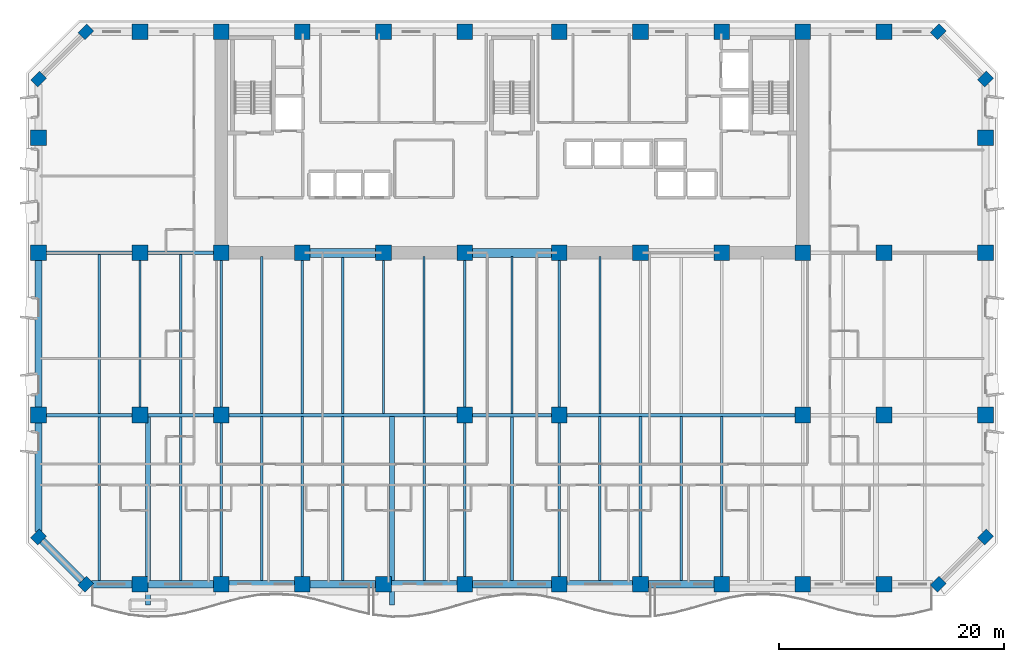
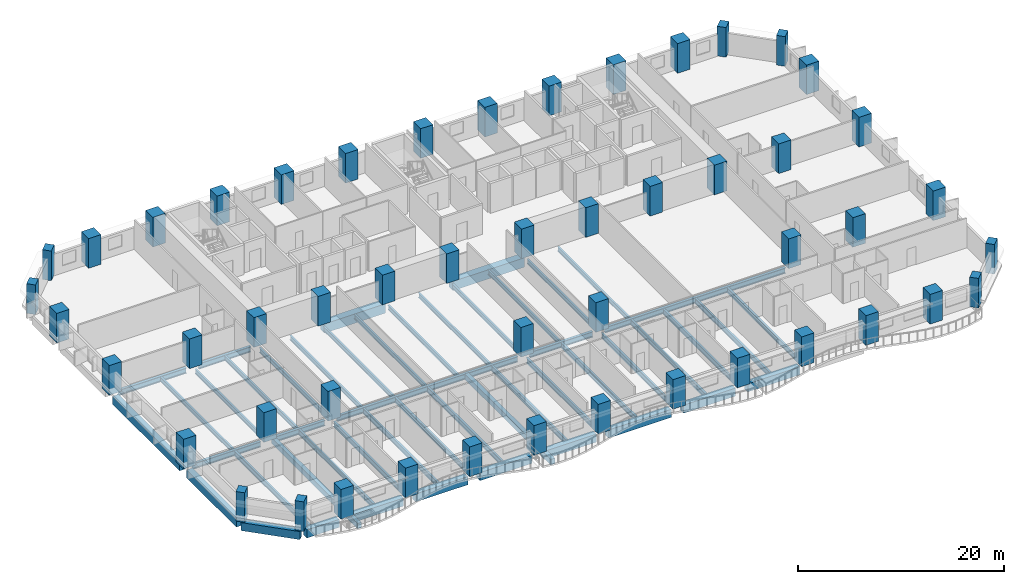
# One storey, part 1 of 16: 50 columns, 49 beams.
"""IFC4 building model written with IfcOpenShell, lengths in metres."""

from ifc_helpers import new_model, si_unit, direction, frame, origin, origin_2d, place, context, subcontext, project, spatial, rectangle, i_section, extrude, material, material_profile, profile_set, type_object, element, save


model = new_model("IFC4")

# Units and contexts
model_context = context("Model", 3, precision=1e-05, world=origin(), true_north=direction((0.0, 1.0)))
body_context = subcontext(model_context, "Body", "Model", "MODEL_VIEW")
ifc_project = project(units=[si_unit("LENGTHUNIT", "METRE"), si_unit("AREAUNIT", "SQUARE_METRE"), si_unit("VOLUMEUNIT", "CUBIC_METRE"), si_unit("PLANEANGLEUNIT", "RADIAN"), si_unit("MASSUNIT", "GRAM", prefix="KILO")], contexts=[model_context])

# Site, building, storey
site_placement = place(None, origin())
site = spatial("IfcSite", under=ifc_project, at=site_placement, CompositionType="ELEMENT")
building_placement = place(site_placement, origin())
building = spatial("IfcBuilding", under=site, at=building_placement, Name="Kaelvorn Grand Hotel", CompositionType="ELEMENT")
storey_placement = place(building_placement, frame((0.0, 0.0, 35.14990234375)))
storey = spatial("IfcBuildingStorey", under=building, at=storey_placement, Name="L06", CompositionType="ELEMENT", Elevation=35.14990234375)

# Columns
ifc_material_1 = material(Name="Concrete C80/95", Category="concrete")
ifc_material_profile_1 = material_profile(ifc_material_1, rectangle(XDim=1.10009765625, YDim=0.89990234375, at=origin_2d()), Name="RC PILASTER 1100x900")
ifc_profile_set_1 = profile_set([ifc_material_profile_1], Name="Concrete C80/95")
column_type_1 = type_object("IfcColumnType", Name="COL-PIL-1100x900-C80", PredefinedType="PILASTER", material=ifc_profile_set_1)
for number, where, z_axis, x_axis, name in (
    (1, (4.199951171875, 0.0, 0.0), (0.0, 0.0, 1.0), (0.707106781187, 0.707106781187, 0.0), "L06 Structural Column CH-01"),
    (2, (79.800048828125, 0.0, 0.0), (0.0, 0.0, 1.0), (0.707106781187, 0.707106781187, 0.0), "L06 Structural Column CH-02"),
    (3, (84.0, 4.199951171875, 0.0), (0.0, 0.0, 1.0), (0.707106781187, 0.707106781187, 0.0), "L06 Structural Column CH-03"),
    (4, (84.0, 44.800048828125, 0.0), (0.0, 0.0, 1.0), (0.707106781187, 0.707106781187, 0.0), "L06 Structural Column CH-04"),
    (5, (79.800048828125, 49.0, 0.0), (0.0, 0.0, 1.0), (0.707106781187, 0.707106781187, 0.0), "L06 Structural Column CH-05"),
    (6, (4.199951171875, 49.0, 0.0), (0.0, 0.0, 1.0), (0.707106781187, 0.707106781187, 0.0), "L06 Structural Column CH-06"),
    (7, (0.0, 44.800048828125, 0.0), (0.0, 0.0, 1.0), (0.707106781187, 0.707106781187, 0.0), "L06 Structural Column CH-07"),
    (8, (0.0, 4.199951171875, 0.0), (0.0, 0.0, 1.0), (0.707106781187, 0.707106781187, 0.0), "L06 Structural Column CH-08"),
):
    element("IfcColumn", number, at=place(storey_placement, frame(where, z_axis=z_axis, x_axis=x_axis)), inside=storey, type_object=column_type_1, Name=name, PredefinedType="PILASTER", context=body_context, shape_type="SweptSolid", body=[
        extrude(rectangle(XDim=1.10009765625, YDim=0.89990234375, at=origin_2d()), origin(), (0.0, 0.0, 1.0), 3.510009765625),
    ])
ifc_material_profile_2 = material_profile(ifc_material_1, rectangle(XDim=1.39990234375, YDim=1.39990234375, at=origin_2d()), Name="RC COL 1400x1400")
ifc_profile_set_2 = profile_set([ifc_material_profile_2], Name="Concrete C80/95")
column_type_2 = type_object("IfcColumnType", Name="COL-RC-1400-C80", PredefinedType="COLUMN", material=ifc_profile_set_2)
for number, where, z_axis, x_axis, name in (
    (9, (9.0, 0.0, 0.0), (0.0, 0.0, 1.0), (1.0, 0.0, 0.0), "L06 Structural Column S-01"),
    (10, (16.199951171875, 0.0, 0.0), (0.0, 0.0, 1.0), (1.0, 0.0, 0.0), "L06 Structural Column S-02"),
    (11, (23.39990234375, 0.0, 0.0), (0.0, 0.0, 1.0), (1.0, 0.0, 0.0), "L06 Structural Column S-03"),
    (12, (30.60009765625, 0.0, 0.0), (0.0, 0.0, 1.0), (1.0, 0.0, 0.0), "L06 Structural Column S-04"),
    (13, (37.800048828125, 0.0, 0.0), (0.0, 0.0, 1.0), (1.0, 0.0, 0.0), "L06 Structural Column S-05"),
    (14, (46.199951171875, 0.0, 0.0), (0.0, 0.0, 1.0), (1.0, 0.0, 0.0), "L06 Structural Column S-06"),
    (15, (53.39990234375, 0.0, 0.0), (0.0, 0.0, 1.0), (1.0, 0.0, 0.0), "L06 Structural Column S-07"),
    (16, (60.60009765625, 0.0, 0.0), (0.0, 0.0, 1.0), (1.0, 0.0, 0.0), "L06 Structural Column S-08"),
    (17, (67.800048828125, 0.0, 0.0), (0.0, 0.0, 1.0), (1.0, 0.0, 0.0), "L06 Structural Column S-09"),
    (18, (75.0, 0.0, 0.0), (0.0, 0.0, 1.0), (1.0, 0.0, 0.0), "L06 Structural Column S-10"),
    (19, (0.0, 15.0, 0.0), (0.0, 0.0, 1.0), (1.0, 0.0, 0.0), "L06 Structural Column W-01"),
    (20, (84.0, 15.0, 0.0), (0.0, 0.0, 1.0), (1.0, 0.0, 0.0), "L06 Structural Column E-01"),
    (21, (0.0, 29.39990234375, 0.0), (0.0, 0.0, 1.0), (1.0, 0.0, 0.0), "L06 Structural Column W-02"),
    (22, (84.0, 29.39990234375, 0.0), (0.0, 0.0, 1.0), (1.0, 0.0, 0.0), "L06 Structural Column E-02"),
    (23, (0.0, 39.60009765625, 0.0), (0.0, 0.0, 1.0), (1.0, 0.0, 0.0), "L06 Structural Column W-03"),
    (24, (84.0, 39.60009765625, 0.0), (0.0, 0.0, 1.0), (1.0, 0.0, 0.0), "L06 Structural Column E-03"),
    (25, (9.0, 15.0, 0.0), (0.0, 0.0, 1.0), (1.0, 0.0, 0.0), "L06 Structural Column M-01"),
    (26, (16.199951171875, 15.0, 0.0), (0.0, 0.0, 1.0), (1.0, 0.0, 0.0), "L06 Structural Column M-02"),
    (27, (37.800048828125, 15.0, 0.0), (0.0, 0.0, 1.0), (1.0, 0.0, 0.0), "L06 Structural Column M-03"),
    (28, (46.199951171875, 15.0, 0.0), (0.0, 0.0, 1.0), (1.0, 0.0, 0.0), "L06 Structural Column M-04"),
    (29, (67.800048828125, 15.0, 0.0), (0.0, 0.0, 1.0), (1.0, 0.0, 0.0), "L06 Structural Column M-05"),
    (30, (75.0, 15.0, 0.0), (0.0, 0.0, 1.0), (1.0, 0.0, 0.0), "L06 Structural Column M-06"),
    (31, (9.0, 29.39990234375, 0.0), (0.0, 0.0, 1.0), (1.0, 0.0, 0.0), "L06 Structural Column CR1-01"),
    (32, (9.0, 49.0, 0.0), (0.0, 0.0, 1.0), (1.0, 0.0, 0.0), "L06 Structural Column CR2-01"),
    (33, (16.199951171875, 29.39990234375, 0.0), (0.0, 0.0, 1.0), (1.0, 0.0, 0.0), "L06 Structural Column CR1-02"),
    (34, (16.199951171875, 49.0, 0.0), (0.0, 0.0, 1.0), (1.0, 0.0, 0.0), "L06 Structural Column CR2-02"),
    (35, (23.39990234375, 29.39990234375, 0.0), (0.0, 0.0, 1.0), (1.0, 0.0, 0.0), "L06 Structural Column CR1-03"),
    (36, (23.39990234375, 49.0, 0.0), (0.0, 0.0, 1.0), (1.0, 0.0, 0.0), "L06 Structural Column CR2-03"),
    (37, (30.60009765625, 29.39990234375, 0.0), (0.0, 0.0, 1.0), (1.0, 0.0, 0.0), "L06 Structural Column CR1-04"),
    (38, (30.60009765625, 49.0, 0.0), (0.0, 0.0, 1.0), (1.0, 0.0, 0.0), "L06 Structural Column CR2-04"),
    (39, (37.800048828125, 29.39990234375, 0.0), (0.0, 0.0, 1.0), (1.0, 0.0, 0.0), "L06 Structural Column CR1-05"),
    (40, (37.800048828125, 49.0, 0.0), (0.0, 0.0, 1.0), (1.0, 0.0, 0.0), "L06 Structural Column CR2-05"),
    (41, (46.199951171875, 29.39990234375, 0.0), (0.0, 0.0, 1.0), (1.0, 0.0, 0.0), "L06 Structural Column CR1-06"),
    (42, (46.199951171875, 49.0, 0.0), (0.0, 0.0, 1.0), (1.0, 0.0, 0.0), "L06 Structural Column CR2-06"),
    (43, (53.39990234375, 29.39990234375, 0.0), (0.0, 0.0, 1.0), (1.0, 0.0, 0.0), "L06 Structural Column CR1-07"),
    (44, (53.39990234375, 49.0, 0.0), (0.0, 0.0, 1.0), (1.0, 0.0, 0.0), "L06 Structural Column CR2-07"),
    (45, (60.60009765625, 29.39990234375, 0.0), (0.0, 0.0, 1.0), (1.0, 0.0, 0.0), "L06 Structural Column CR1-08"),
    (46, (60.60009765625, 49.0, 0.0), (0.0, 0.0, 1.0), (1.0, 0.0, 0.0), "L06 Structural Column CR2-08"),
    (47, (67.800048828125, 29.39990234375, 0.0), (0.0, 0.0, 1.0), (1.0, 0.0, 0.0), "L06 Structural Column CR1-09"),
    (48, (67.800048828125, 49.0, 0.0), (0.0, 0.0, 1.0), (1.0, 0.0, 0.0), "L06 Structural Column CR2-09"),
    (49, (75.0, 29.39990234375, 0.0), (0.0, 0.0, 1.0), (1.0, 0.0, 0.0), "L06 Structural Column CR1-10"),
    (50, (75.0, 49.0, 0.0), (0.0, 0.0, 1.0), (1.0, 0.0, 0.0), "L06 Structural Column CR2-10"),
):
    element("IfcColumn", number, at=place(storey_placement, frame(where, z_axis=z_axis, x_axis=x_axis)), inside=storey, type_object=column_type_2, Name=name, PredefinedType="COLUMN", context=body_context, shape_type="SweptSolid", body=[
        extrude(rectangle(XDim=1.39990234375, YDim=1.39990234375, at=origin_2d()), origin(), (0.0, 0.0, 1.0), 3.510009765625),
    ])

# Beams
ifc_material_2 = material(Name="Steel S355", Category="steel")
ifc_material_profile_3 = material_profile(ifc_material_2, i_section(OverallWidth=0.300048828125, OverallDepth=0.64990234375, WebThickness=0.01611328125, FlangeThickness=0.031005859375, FilletRadius=0.027099609375, at=origin_2d()), Name="HEB 650")
ifc_profile_set_3 = profile_set([ifc_material_profile_3], Name="Steel S355")
beam_type_1 = type_object("IfcBeamType", Name="BM-G-HEB650-S355", PredefinedType="BEAM", material=ifc_profile_set_3)
beam_1_placement = place(storey_placement, frame((0.68505859375, 15.0, -0.56494140625), z_axis=(1.0, 0.0, 0.0), x_axis=(0.0, 1.0, 0.0)))
element("IfcBeam", 51, at=beam_1_placement, inside=storey, type_object=beam_type_1, Name="L06 Primary Spine Steel Girder G-15 01", PredefinedType="BEAM", context=body_context, shape_type="SweptSolid", body=[
    extrude(i_section(OverallWidth=0.300048828125, OverallDepth=0.64990234375, WebThickness=0.01611328125, FlangeThickness=0.031005859375, FilletRadius=0.027099609375, at=origin_2d()), origin(), (0.0, 0.0, 1.0), 7.6298828125),
])
beam_2_placement = place(storey_placement, frame((9.68505859375, 15.0, -0.56494140625), z_axis=(1.0, 0.0, 0.0), x_axis=(0.0, 1.0, 0.0)))
element("IfcBeam", 52, at=beam_2_placement, inside=storey, type_object=beam_type_1, Name="L06 Primary Spine Steel Girder G-15 02", PredefinedType="BEAM", context=body_context, shape_type="SweptSolid", body=[
    extrude(i_section(OverallWidth=0.300048828125, OverallDepth=0.64990234375, WebThickness=0.01611328125, FlangeThickness=0.031005859375, FilletRadius=0.027099609375, at=origin_2d()), origin(), (0.0, 0.0, 1.0), 5.829833984375),
])
beam_3_placement = place(storey_placement, frame((16.885009765625, 15.0, -0.56494140625), z_axis=(1.0, 0.0, 0.0), x_axis=(0.0, 1.0, 0.0)))
element("IfcBeam", 53, at=beam_3_placement, inside=storey, type_object=beam_type_1, Name="L06 Primary Spine Steel Girder G-15 03", PredefinedType="BEAM", context=body_context, shape_type="SweptSolid", body=[
    extrude(i_section(OverallWidth=0.300048828125, OverallDepth=0.64990234375, WebThickness=0.01611328125, FlangeThickness=0.031005859375, FilletRadius=0.027099609375, at=origin_2d()), origin(), (0.0, 0.0, 1.0), 20.22998046875),
])
beam_4_placement = place(storey_placement, frame((38.485107421875, 15.0, -0.56494140625), z_axis=(1.0, 0.0, 0.0), x_axis=(0.0, 1.0, 0.0)))
element("IfcBeam", 54, at=beam_4_placement, inside=storey, type_object=beam_type_1, Name="L06 Primary Spine Steel Girder G-15 04", PredefinedType="BEAM", context=body_context, shape_type="SweptSolid", body=[
    extrude(i_section(OverallWidth=0.300048828125, OverallDepth=0.64990234375, WebThickness=0.01611328125, FlangeThickness=0.031005859375, FilletRadius=0.027099609375, at=origin_2d()), origin(), (0.0, 0.0, 1.0), 7.02978515625),
])
beam_5_placement = place(storey_placement, frame((46.885009765625, 15.0, -0.56494140625), z_axis=(1.0, 0.0, 0.0), x_axis=(0.0, 1.0, 0.0)))
element("IfcBeam", 55, at=beam_5_placement, inside=storey, type_object=beam_type_1, Name="L06 Primary Spine Steel Girder G-15 05", PredefinedType="BEAM", context=body_context, shape_type="SweptSolid", body=[
    extrude(i_section(OverallWidth=0.300048828125, OverallDepth=0.64990234375, WebThickness=0.01611328125, FlangeThickness=0.031005859375, FilletRadius=0.027099609375, at=origin_2d()), origin(), (0.0, 0.0, 1.0), 20.22998046875),
])
beam_6_placement = place(storey_placement, frame((0.68505859375, 29.39990234375, -0.56494140625), z_axis=(1.0, 0.0, 0.0), x_axis=(0.0, 1.0, 0.0)))
element("IfcBeam", 56, at=beam_6_placement, inside=storey, type_object=beam_type_1, Name="L06 West Core Wing Steel Girder G-29W 01", PredefinedType="BEAM", context=body_context, shape_type="SweptSolid", body=[
    extrude(i_section(OverallWidth=0.300048828125, OverallDepth=0.64990234375, WebThickness=0.01611328125, FlangeThickness=0.031005859375, FilletRadius=0.027099609375, at=origin_2d()), origin(), (0.0, 0.0, 1.0), 7.6298828125),
])
beam_7_placement = place(storey_placement, frame((9.68505859375, 29.39990234375, -0.56494140625), z_axis=(1.0, 0.0, 0.0), x_axis=(0.0, 1.0, 0.0)))
element("IfcBeam", 57, at=beam_7_placement, inside=storey, type_object=beam_type_1, Name="L06 West Core Wing Steel Girder G-29W 02", PredefinedType="BEAM", context=body_context, shape_type="SweptSolid", body=[
    extrude(i_section(OverallWidth=0.300048828125, OverallDepth=0.64990234375, WebThickness=0.01611328125, FlangeThickness=0.031005859375, FilletRadius=0.027099609375, at=origin_2d()), origin(), (0.0, 0.0, 1.0), 5.829833984375),
])
ifc_material_profile_4 = material_profile(ifc_material_2, i_section(OverallWidth=0.209228515625, OverallDepth=0.533203125, WebThickness=0.010009765625, FlangeThickness=0.015625, FilletRadius=0.0126953125, at=origin_2d()), Name="UB 533x210x92")
ifc_profile_set_4 = profile_set([ifc_material_profile_4], Name="Steel S355")
beam_type_2 = type_object("IfcBeamType", Name="BM-J-UB533-S355", PredefinedType="JOIST", material=ifc_profile_set_4)
beam_8_placement = place(storey_placement, frame((5.39990234375, 15.135009765625, -0.50634765625), z_axis=(0.0, 1.0, 0.0), x_axis=(-1.0, 0.0, 0.0)))
element("IfcBeam", 58, at=beam_8_placement, inside=storey, type_object=beam_type_2, Name="L06 Composite Floor Joist JM-02", PredefinedType="JOIST", context=body_context, shape_type="SweptSolid", body=[
    extrude(i_section(OverallWidth=0.209228515625, OverallDepth=0.533203125, WebThickness=0.010009765625, FlangeThickness=0.015625, FilletRadius=0.0126953125, at=origin_2d()), origin(), (0.0, 0.0, 1.0), 14.1298828125),
])
beam_9_placement = place(storey_placement, frame((9.0, 15.68505859375, -0.50634765625), z_axis=(0.0, 1.0, 0.0), x_axis=(-1.0, 0.0, 0.0)))
element("IfcBeam", 59, at=beam_9_placement, inside=storey, type_object=beam_type_2, Name="L06 Composite Floor Joist JM-03", PredefinedType="JOIST", context=body_context, shape_type="SweptSolid", body=[
    extrude(i_section(OverallWidth=0.209228515625, OverallDepth=0.533203125, WebThickness=0.010009765625, FlangeThickness=0.015625, FilletRadius=0.0126953125, at=origin_2d()), origin(), (0.0, 0.0, 1.0), 13.030029296875),
])
beam_10_placement = place(storey_placement, frame((12.60009765625, 15.135009765625, -0.50634765625), z_axis=(0.0, 1.0, 0.0), x_axis=(-1.0, 0.0, 0.0)))
element("IfcBeam", 60, at=beam_10_placement, inside=storey, type_object=beam_type_2, Name="L06 Composite Floor Joist JM-04", PredefinedType="JOIST", context=body_context, shape_type="SweptSolid", body=[
    extrude(i_section(OverallWidth=0.209228515625, OverallDepth=0.533203125, WebThickness=0.010009765625, FlangeThickness=0.015625, FilletRadius=0.0126953125, at=origin_2d()), origin(), (0.0, 0.0, 1.0), 14.1298828125),
])
beam_11_placement = place(storey_placement, frame((16.199951171875, 15.68505859375, -0.50634765625), z_axis=(0.0, 1.0, 0.0), x_axis=(-1.0, 0.0, 0.0)))
element("IfcBeam", 61, at=beam_11_placement, inside=storey, type_object=beam_type_2, Name="L06 Composite Floor Joist JM-05", PredefinedType="JOIST", context=body_context, shape_type="SweptSolid", body=[
    extrude(i_section(OverallWidth=0.209228515625, OverallDepth=0.533203125, WebThickness=0.010009765625, FlangeThickness=0.015625, FilletRadius=0.0126953125, at=origin_2d()), origin(), (0.0, 0.0, 1.0), 13.030029296875),
])
beam_12_placement = place(storey_placement, frame((19.800048828125, 15.135009765625, -0.50634765625), z_axis=(0.0, 1.0, 0.0), x_axis=(-1.0, 0.0, 0.0)))
element("IfcBeam", 62, at=beam_12_placement, inside=storey, type_object=beam_type_2, Name="L06 Composite Floor Joist JM-06", PredefinedType="JOIST", context=body_context, shape_type="SweptSolid", body=[
    extrude(i_section(OverallWidth=0.209228515625, OverallDepth=0.533203125, WebThickness=0.010009765625, FlangeThickness=0.015625, FilletRadius=0.0126953125, at=origin_2d()), origin(), (0.0, 0.0, 1.0), 13.925048828125),
])
beam_13_placement = place(storey_placement, frame((23.39990234375, 15.135009765625, -0.50634765625), z_axis=(0.0, 1.0, 0.0), x_axis=(-1.0, 0.0, 0.0)))
element("IfcBeam", 63, at=beam_13_placement, inside=storey, type_object=beam_type_2, Name="L06 Composite Floor Joist JM-07", PredefinedType="JOIST", context=body_context, shape_type="SweptSolid", body=[
    extrude(i_section(OverallWidth=0.209228515625, OverallDepth=0.533203125, WebThickness=0.010009765625, FlangeThickness=0.015625, FilletRadius=0.0126953125, at=origin_2d()), origin(), (0.0, 0.0, 1.0), 13.580078125),
])
beam_14_placement = place(storey_placement, frame((27.0, 15.135009765625, -0.50634765625), z_axis=(0.0, 1.0, 0.0), x_axis=(-1.0, 0.0, 0.0)))
element("IfcBeam", 64, at=beam_14_placement, inside=storey, type_object=beam_type_2, Name="L06 Composite Floor Joist JM-08", PredefinedType="JOIST", context=body_context, shape_type="SweptSolid", body=[
    extrude(i_section(OverallWidth=0.209228515625, OverallDepth=0.533203125, WebThickness=0.010009765625, FlangeThickness=0.015625, FilletRadius=0.0126953125, at=origin_2d()), origin(), (0.0, 0.0, 1.0), 13.925048828125),
])
beam_15_placement = place(storey_placement, frame((30.60009765625, 15.135009765625, -0.50634765625), z_axis=(0.0, 1.0, 0.0), x_axis=(-1.0, 0.0, 0.0)))
element("IfcBeam", 65, at=beam_15_placement, inside=storey, type_object=beam_type_2, Name="L06 Composite Floor Joist JM-09", PredefinedType="JOIST", context=body_context, shape_type="SweptSolid", body=[
    extrude(i_section(OverallWidth=0.209228515625, OverallDepth=0.533203125, WebThickness=0.010009765625, FlangeThickness=0.015625, FilletRadius=0.0126953125, at=origin_2d()), origin(), (0.0, 0.0, 1.0), 13.580078125),
])
beam_16_placement = place(storey_placement, frame((34.199951171875, 15.135009765625, -0.50634765625), z_axis=(0.0, 1.0, 0.0), x_axis=(-1.0, 0.0, 0.0)))
element("IfcBeam", 66, at=beam_16_placement, inside=storey, type_object=beam_type_2, Name="L06 Composite Floor Joist JM-10", PredefinedType="JOIST", context=body_context, shape_type="SweptSolid", body=[
    extrude(i_section(OverallWidth=0.209228515625, OverallDepth=0.533203125, WebThickness=0.010009765625, FlangeThickness=0.015625, FilletRadius=0.0126953125, at=origin_2d()), origin(), (0.0, 0.0, 1.0), 13.925048828125),
])
beam_17_placement = place(storey_placement, frame((37.800048828125, 15.68505859375, -0.50634765625), z_axis=(0.0, 1.0, 0.0), x_axis=(-1.0, 0.0, 0.0)))
element("IfcBeam", 67, at=beam_17_placement, inside=storey, type_object=beam_type_2, Name="L06 Composite Floor Joist JM-11", PredefinedType="JOIST", context=body_context, shape_type="SweptSolid", body=[
    extrude(i_section(OverallWidth=0.209228515625, OverallDepth=0.533203125, WebThickness=0.010009765625, FlangeThickness=0.015625, FilletRadius=0.0126953125, at=origin_2d()), origin(), (0.0, 0.0, 1.0), 13.030029296875),
])
beam_18_placement = place(storey_placement, frame((42.0, 15.135009765625, -0.50634765625), z_axis=(0.0, 1.0, 0.0), x_axis=(-1.0, 0.0, 0.0)))
element("IfcBeam", 68, at=beam_18_placement, inside=storey, type_object=beam_type_2, Name="L06 Composite Floor Joist JM-12", PredefinedType="JOIST", context=body_context, shape_type="SweptSolid", body=[
    extrude(i_section(OverallWidth=0.209228515625, OverallDepth=0.533203125, WebThickness=0.010009765625, FlangeThickness=0.015625, FilletRadius=0.0126953125, at=origin_2d()), origin(), (0.0, 0.0, 1.0), 13.925048828125),
])
beam_19_placement = place(storey_placement, frame((46.199951171875, 15.68505859375, -0.50634765625), z_axis=(0.0, 1.0, 0.0), x_axis=(-1.0, 0.0, 0.0)))
element("IfcBeam", 69, at=beam_19_placement, inside=storey, type_object=beam_type_2, Name="L06 Composite Floor Joist JM-13", PredefinedType="JOIST", context=body_context, shape_type="SweptSolid", body=[
    extrude(i_section(OverallWidth=0.209228515625, OverallDepth=0.533203125, WebThickness=0.010009765625, FlangeThickness=0.015625, FilletRadius=0.0126953125, at=origin_2d()), origin(), (0.0, 0.0, 1.0), 13.030029296875),
])
beam_20_placement = place(storey_placement, frame((49.800048828125, 15.135009765625, -0.50634765625), z_axis=(0.0, 1.0, 0.0), x_axis=(-1.0, 0.0, 0.0)))
element("IfcBeam", 70, at=beam_20_placement, inside=storey, type_object=beam_type_2, Name="L06 Composite Floor Joist JM-14", PredefinedType="JOIST", context=body_context, shape_type="SweptSolid", body=[
    extrude(i_section(OverallWidth=0.209228515625, OverallDepth=0.533203125, WebThickness=0.010009765625, FlangeThickness=0.015625, FilletRadius=0.0126953125, at=origin_2d()), origin(), (0.0, 0.0, 1.0), 13.925048828125),
])
ifc_material_profile_5 = material_profile(ifc_material_2, i_section(OverallWidth=0.22900390625, OverallDepth=0.6123046875, WebThickness=0.011962890625, FlangeThickness=0.01953125, FilletRadius=0.0126953125, at=origin_2d()), Name="UB 610x229x125")
ifc_profile_set_5 = profile_set([ifc_material_profile_5], Name="Steel S355")
beam_type_3 = type_object("IfcBeamType", Name="BM-J-UB610-S355", PredefinedType="JOIST", material=ifc_profile_set_5)
for number, where, z_axis, x_axis, name in (
    (71, (5.39990234375, 0.31005859375, -0.5458984375), (0.0, 1.0, 0.0), (-1.0, 0.0, 0.0), "L06 Composite Floor Joist JS-02"),
    (72, (12.60009765625, 0.31005859375, -0.5458984375), (0.0, 1.0, 0.0), (-1.0, 0.0, 0.0), "L06 Composite Floor Joist JS-04"),
):
    element("IfcBeam", number, at=place(storey_placement, frame(where, z_axis=z_axis, x_axis=x_axis)), inside=storey, type_object=beam_type_3, Name=name, PredefinedType="JOIST", context=body_context, shape_type="SweptSolid", body=[
        extrude(i_section(OverallWidth=0.22900390625, OverallDepth=0.6123046875, WebThickness=0.011962890625, FlangeThickness=0.01953125, FilletRadius=0.0126953125, at=origin_2d()), origin(), (0.0, 0.0, 1.0), 14.554931640625),
    ])
beam_21_placement = place(storey_placement, frame((16.199951171875, 0.68505859375, -0.5458984375), z_axis=(0.0, 1.0, 0.0), x_axis=(-1.0, 0.0, 0.0)))
element("IfcBeam", 73, at=beam_21_placement, inside=storey, type_object=beam_type_3, Name="L06 Composite Floor Joist JS-05", PredefinedType="JOIST", context=body_context, shape_type="SweptSolid", body=[
    extrude(i_section(OverallWidth=0.22900390625, OverallDepth=0.6123046875, WebThickness=0.011962890625, FlangeThickness=0.01953125, FilletRadius=0.0126953125, at=origin_2d()), origin(), (0.0, 0.0, 1.0), 13.6298828125),
])
beam_22_placement = place(storey_placement, frame((19.800048828125, 0.31005859375, -0.5458984375), z_axis=(0.0, 1.0, 0.0), x_axis=(-1.0, 0.0, 0.0)))
element("IfcBeam", 74, at=beam_22_placement, inside=storey, type_object=beam_type_3, Name="L06 Composite Floor Joist JS-06", PredefinedType="JOIST", context=body_context, shape_type="SweptSolid", body=[
    extrude(i_section(OverallWidth=0.22900390625, OverallDepth=0.6123046875, WebThickness=0.011962890625, FlangeThickness=0.01953125, FilletRadius=0.0126953125, at=origin_2d()), origin(), (0.0, 0.0, 1.0), 14.554931640625),
])
beam_23_placement = place(storey_placement, frame((23.39990234375, 0.68505859375, -0.5458984375), z_axis=(0.0, 1.0, 0.0), x_axis=(-1.0, 0.0, 0.0)))
element("IfcBeam", 75, at=beam_23_placement, inside=storey, type_object=beam_type_3, Name="L06 Composite Floor Joist JS-07", PredefinedType="JOIST", context=body_context, shape_type="SweptSolid", body=[
    extrude(i_section(OverallWidth=0.22900390625, OverallDepth=0.6123046875, WebThickness=0.011962890625, FlangeThickness=0.01953125, FilletRadius=0.0126953125, at=origin_2d()), origin(), (0.0, 0.0, 1.0), 14.179931640625),
])
for number, where, z_axis, x_axis, name in (
    (76, (27.0, 0.31005859375, -0.5458984375), (0.0, 1.0, 0.0), (-1.0, 0.0, 0.0), "L06 Composite Floor Joist JS-08"),
    (77, (34.199951171875, 0.31005859375, -0.5458984375), (0.0, 1.0, 0.0), (-1.0, 0.0, 0.0), "L06 Composite Floor Joist JS-10"),
):
    element("IfcBeam", number, at=place(storey_placement, frame(where, z_axis=z_axis, x_axis=x_axis)), inside=storey, type_object=beam_type_3, Name=name, PredefinedType="JOIST", context=body_context, shape_type="SweptSolid", body=[
        extrude(i_section(OverallWidth=0.22900390625, OverallDepth=0.6123046875, WebThickness=0.011962890625, FlangeThickness=0.01953125, FilletRadius=0.0126953125, at=origin_2d()), origin(), (0.0, 0.0, 1.0), 14.554931640625),
    ])
beam_24_placement = place(storey_placement, frame((37.800048828125, 0.68505859375, -0.5458984375), z_axis=(0.0, 1.0, 0.0), x_axis=(-1.0, 0.0, 0.0)))
element("IfcBeam", 78, at=beam_24_placement, inside=storey, type_object=beam_type_3, Name="L06 Composite Floor Joist JS-11", PredefinedType="JOIST", context=body_context, shape_type="SweptSolid", body=[
    extrude(i_section(OverallWidth=0.22900390625, OverallDepth=0.6123046875, WebThickness=0.011962890625, FlangeThickness=0.01953125, FilletRadius=0.0126953125, at=origin_2d()), origin(), (0.0, 0.0, 1.0), 13.6298828125),
])
beam_25_placement = place(storey_placement, frame((42.0, 0.31005859375, -0.5458984375), z_axis=(0.0, 1.0, 0.0), x_axis=(-1.0, 0.0, 0.0)))
element("IfcBeam", 79, at=beam_25_placement, inside=storey, type_object=beam_type_3, Name="L06 Composite Floor Joist JS-12", PredefinedType="JOIST", context=body_context, shape_type="SweptSolid", body=[
    extrude(i_section(OverallWidth=0.22900390625, OverallDepth=0.6123046875, WebThickness=0.011962890625, FlangeThickness=0.01953125, FilletRadius=0.0126953125, at=origin_2d()), origin(), (0.0, 0.0, 1.0), 14.554931640625),
])
beam_26_placement = place(storey_placement, frame((46.199951171875, 0.68505859375, -0.5458984375), z_axis=(0.0, 1.0, 0.0), x_axis=(-1.0, 0.0, 0.0)))
element("IfcBeam", 80, at=beam_26_placement, inside=storey, type_object=beam_type_3, Name="L06 Composite Floor Joist JS-13", PredefinedType="JOIST", context=body_context, shape_type="SweptSolid", body=[
    extrude(i_section(OverallWidth=0.22900390625, OverallDepth=0.6123046875, WebThickness=0.011962890625, FlangeThickness=0.01953125, FilletRadius=0.0126953125, at=origin_2d()), origin(), (0.0, 0.0, 1.0), 13.6298828125),
])
beam_27_placement = place(storey_placement, frame((49.800048828125, 0.31005859375, -0.5458984375), z_axis=(0.0, 1.0, 0.0), x_axis=(-1.0, 0.0, 0.0)))
element("IfcBeam", 81, at=beam_27_placement, inside=storey, type_object=beam_type_3, Name="L06 Composite Floor Joist JS-14", PredefinedType="JOIST", context=body_context, shape_type="SweptSolid", body=[
    extrude(i_section(OverallWidth=0.22900390625, OverallDepth=0.6123046875, WebThickness=0.011962890625, FlangeThickness=0.01953125, FilletRadius=0.0126953125, at=origin_2d()), origin(), (0.0, 0.0, 1.0), 14.554931640625),
])
beam_28_placement = place(storey_placement, frame((53.39990234375, 0.68505859375, -0.5458984375), z_axis=(0.0, 1.0, 0.0), x_axis=(-1.0, 0.0, 0.0)))
element("IfcBeam", 82, at=beam_28_placement, inside=storey, type_object=beam_type_3, Name="L06 Composite Floor Joist JS-15", PredefinedType="JOIST", context=body_context, shape_type="SweptSolid", body=[
    extrude(i_section(OverallWidth=0.22900390625, OverallDepth=0.6123046875, WebThickness=0.011962890625, FlangeThickness=0.01953125, FilletRadius=0.0126953125, at=origin_2d()), origin(), (0.0, 0.0, 1.0), 14.179931640625),
])
beam_29_placement = place(storey_placement, frame((57.0, 0.31005859375, -0.5458984375), z_axis=(0.0, 1.0, 0.0), x_axis=(-1.0, 0.0, 0.0)))
element("IfcBeam", 83, at=beam_29_placement, inside=storey, type_object=beam_type_3, Name="L06 Composite Floor Joist JS-16", PredefinedType="JOIST", context=body_context, shape_type="SweptSolid", body=[
    extrude(i_section(OverallWidth=0.22900390625, OverallDepth=0.6123046875, WebThickness=0.011962890625, FlangeThickness=0.01953125, FilletRadius=0.0126953125, at=origin_2d()), origin(), (0.0, 0.0, 1.0), 14.554931640625),
])
beam_30_placement = place(storey_placement, frame((60.60009765625, 0.68505859375, -0.5458984375), z_axis=(0.0, 1.0, 0.0), x_axis=(-1.0, 0.0, 0.0)))
element("IfcBeam", 84, at=beam_30_placement, inside=storey, type_object=beam_type_3, Name="L06 Composite Floor Joist JS-17", PredefinedType="JOIST", context=body_context, shape_type="SweptSolid", body=[
    extrude(i_section(OverallWidth=0.22900390625, OverallDepth=0.6123046875, WebThickness=0.011962890625, FlangeThickness=0.01953125, FilletRadius=0.0126953125, at=origin_2d()), origin(), (0.0, 0.0, 1.0), 14.179931640625),
])
ifc_material_3 = material(Name="Concrete C60/75", Category="concrete")
ifc_material_profile_6 = material_profile(ifc_material_3, rectangle(XDim=0.800048828125, YDim=1.10009765625, at=origin_2d()), Name="RC LINTEL 800x1100")
ifc_profile_set_6 = profile_set([ifc_material_profile_6], Name="Concrete C60/75")
beam_type_4 = type_object("IfcBeamType", Name="BM-LIN-800x1100-C60", PredefinedType="LINTEL", material=ifc_profile_set_6)
beam_31_placement = place(storey_placement, frame((23.580078125, 29.39990234375, -0.789794921875), z_axis=(1.0, 0.0, 0.0), x_axis=(0.0, 1.0, 0.0)))
element("IfcBeam", 85, at=beam_31_placement, inside=storey, type_object=beam_type_4, Name="L06 Rear-Core Coupling Lintel Beam CB1-01", PredefinedType="LINTEL", context=body_context, shape_type="SweptSolid", body=[
    extrude(rectangle(XDim=0.800048828125, YDim=1.10009765625, at=origin_2d()), origin(), (0.0, 0.0, 1.0), 6.83984375),
])
beam_32_placement = place(storey_placement, frame((37.97998046875, 29.39990234375, -0.789794921875), z_axis=(1.0, 0.0, 0.0), x_axis=(0.0, 1.0, 0.0)))
element("IfcBeam", 86, at=beam_32_placement, inside=storey, type_object=beam_type_4, Name="L06 Rear-Core Coupling Lintel Beam CB1-02", PredefinedType="LINTEL", context=body_context, shape_type="SweptSolid", body=[
    extrude(rectangle(XDim=0.800048828125, YDim=1.10009765625, at=origin_2d()), origin(), (0.0, 0.0, 1.0), 8.0400390625),
])
ifc_material_4 = material(Name="Concrete C40/50", Category="concrete")
ifc_material_profile_7 = material_profile(ifc_material_4, rectangle(XDim=0.449951171875, YDim=0.64990234375, at=origin_2d()), Name="RC RIB 450x650")
ifc_profile_set_7 = profile_set([ifc_material_profile_7], Name="Concrete C40/50")
beam_type_5 = type_object("IfcBeamType", Name="BM-RIB-450x650-C40", PredefinedType="SPANDREL", material=ifc_profile_set_7)
for number, where, z_axis, x_axis, name in (
    (87, (9.706787109375, -1.85009765625, -0.544921875), (0.0, 1.0, 0.0), (-1.0, 0.0, 0.0), "L06 Cantilevered Balcony Back-Span Rib RB1-1"),
    (88, (31.368896484375, -1.85009765625, -0.544921875), (0.0, 1.0, 0.0), (-1.0, 0.0, 0.0), "L06 Cantilevered Balcony Back-Span Rib RB1-2"),
):
    element("IfcBeam", number, at=place(storey_placement, frame(where, z_axis=z_axis, x_axis=x_axis)), inside=storey, type_object=beam_type_5, Name=name, PredefinedType="SPANDREL", context=body_context, shape_type="SweptSolid", body=[
        extrude(rectangle(XDim=0.449951171875, YDim=0.64990234375, at=origin_2d()), origin(), (0.0, 0.0, 1.0), 16.715087890625),
    ])
ifc_material_profile_8 = material_profile(ifc_material_3, rectangle(XDim=0.64990234375, YDim=0.949951171875, at=origin_2d()), Name="RC SPANDREL 650x950")
ifc_profile_set_8 = profile_set([ifc_material_profile_8], Name="Concrete C60/75")
beam_type_6 = type_object("IfcBeamType", Name="BM-SP-650x950-C60", PredefinedType="SPANDREL", material=ifc_profile_set_8)
beam_33_placement = place(storey_placement, frame((4.68505859375, 0.0, -0.71484375), z_axis=(1.0, 0.0, 0.0), x_axis=(0.0, 1.0, 0.0)))
element("IfcBeam", 89, at=beam_33_placement, inside=storey, type_object=beam_type_6, Name="L06 South Perimeter Spandrel 01", PredefinedType="SPANDREL", context=body_context, shape_type="SweptSolid", body=[
    extrude(rectangle(XDim=0.64990234375, YDim=0.949951171875, at=origin_2d()), origin(), (0.0, 0.0, 1.0), 3.6298828125),
])
beam_34_placement = place(storey_placement, frame((9.68505859375, 0.0, -0.71484375), z_axis=(1.0, 0.0, 0.0), x_axis=(0.0, 1.0, 0.0)))
element("IfcBeam", 90, at=beam_34_placement, inside=storey, type_object=beam_type_6, Name="L06 South Perimeter Spandrel 02", PredefinedType="SPANDREL", context=body_context, shape_type="SweptSolid", body=[
    extrude(rectangle(XDim=0.64990234375, YDim=0.949951171875, at=origin_2d()), origin(), (0.0, 0.0, 1.0), 5.829833984375),
])
for number, where, z_axis, x_axis, name in (
    (91, (16.885009765625, 0.0, -0.71484375), (1.0, 0.0, 0.0), (0.0, 1.0, 0.0), "L06 South Perimeter Spandrel 03"),
    (92, (24.0849609375, 0.0, -0.71484375), (1.0, 0.0, 0.0), (0.0, 1.0, 0.0), "L06 South Perimeter Spandrel 04"),
    (93, (31.284912109375, 0.0, -0.71484375), (1.0, 0.0, 0.0), (0.0, 1.0, 0.0), "L06 South Perimeter Spandrel 05"),
):
    element("IfcBeam", number, at=place(storey_placement, frame(where, z_axis=z_axis, x_axis=x_axis)), inside=storey, type_object=beam_type_6, Name=name, PredefinedType="SPANDREL", context=body_context, shape_type="SweptSolid", body=[
        extrude(rectangle(XDim=0.64990234375, YDim=0.949951171875, at=origin_2d()), origin(), (0.0, 0.0, 1.0), 5.830078125),
    ])
beam_35_placement = place(storey_placement, frame((38.485107421875, 0.0, -0.71484375), z_axis=(1.0, 0.0, 0.0), x_axis=(0.0, 1.0, 0.0)))
element("IfcBeam", 94, at=beam_35_placement, inside=storey, type_object=beam_type_6, Name="L06 South Perimeter Spandrel 06", PredefinedType="SPANDREL", context=body_context, shape_type="SweptSolid", body=[
    extrude(rectangle(XDim=0.64990234375, YDim=0.949951171875, at=origin_2d()), origin(), (0.0, 0.0, 1.0), 7.02978515625),
])
for number, where, z_axis, x_axis, name in (
    (95, (46.885009765625, 0.0, -0.71484375), (1.0, 0.0, 0.0), (0.0, 1.0, 0.0), "L06 South Perimeter Spandrel 07"),
    (96, (54.0849609375, 0.0, -0.71484375), (1.0, 0.0, 0.0), (0.0, 1.0, 0.0), "L06 South Perimeter Spandrel 08"),
):
    element("IfcBeam", number, at=place(storey_placement, frame(where, z_axis=z_axis, x_axis=x_axis)), inside=storey, type_object=beam_type_6, Name=name, PredefinedType="SPANDREL", context=body_context, shape_type="SweptSolid", body=[
        extrude(rectangle(XDim=0.64990234375, YDim=0.949951171875, at=origin_2d()), origin(), (0.0, 0.0, 1.0), 5.830078125),
    ])
beam_36_placement = place(storey_placement, frame((0.0, 4.68505859375, -0.71484375), z_axis=(0.0, 1.0, 0.0), x_axis=(-1.0, 0.0, 0.0)))
element("IfcBeam", 97, at=beam_36_placement, inside=storey, type_object=beam_type_6, Name="L06 West Perimeter Spandrel 01", PredefinedType="SPANDREL", context=body_context, shape_type="SweptSolid", body=[
    extrude(rectangle(XDim=0.64990234375, YDim=0.949951171875, at=origin_2d()), origin(), (0.0, 0.0, 1.0), 9.6298828125),
])
beam_37_placement = place(storey_placement, frame((0.0, 15.68505859375, -0.71484375), z_axis=(0.0, 1.0, 0.0), x_axis=(-1.0, 0.0, 0.0)))
element("IfcBeam", 98, at=beam_37_placement, inside=storey, type_object=beam_type_6, Name="L06 West Perimeter Spandrel 02", PredefinedType="SPANDREL", context=body_context, shape_type="SweptSolid", body=[
    extrude(rectangle(XDim=0.64990234375, YDim=0.949951171875, at=origin_2d()), origin(), (0.0, 0.0, 1.0), 13.030029296875),
])
beam_38_placement = place(storey_placement, frame((0.0, 4.199951171875, -0.71484375), z_axis=(0.707106781187, -0.707106781187, 0.0), x_axis=(0.707106781187, 0.707106781187, 0.0)))
element("IfcBeam", 99, at=beam_38_placement, inside=storey, type_object=beam_type_6, Name="L06 Chamfer Spandrel Beam 4", PredefinedType="SPANDREL", context=body_context, shape_type="SweptSolid", body=[
    extrude(rectangle(XDim=0.64990234375, YDim=0.949951171875, at=origin_2d()), origin(), (0.0, 0.0, 1.0), 5.939697265625),
])

save(model, "model.ifc")
